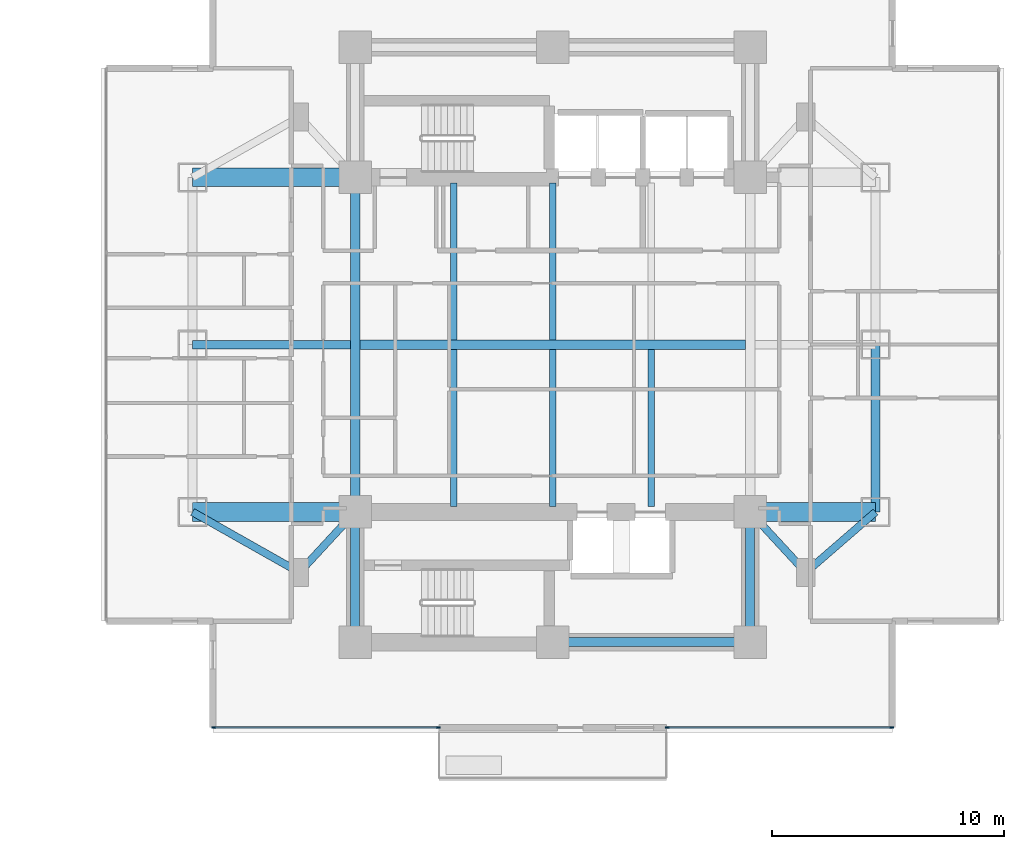
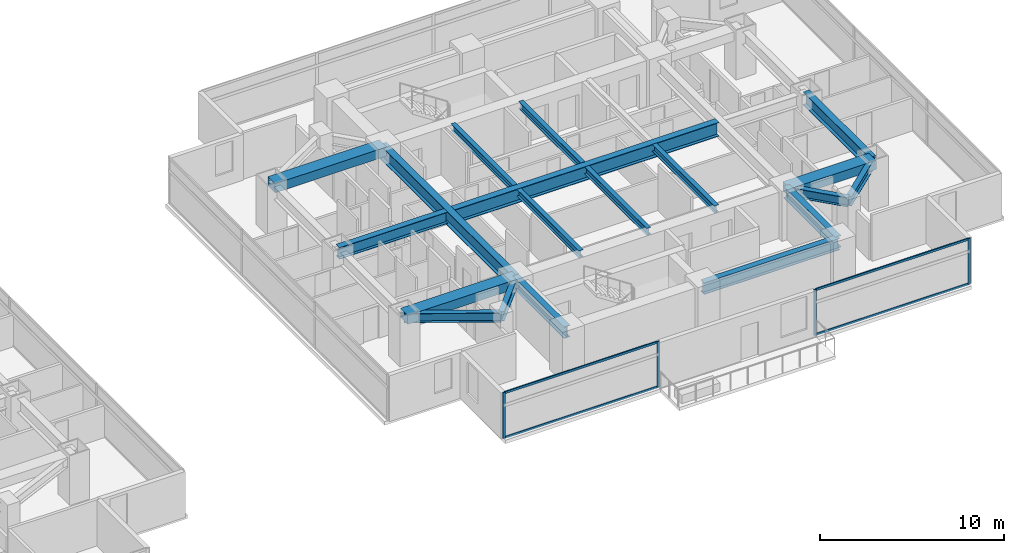
# One storey, part 9 of 27: 19 beams, 8 members, 2 elements without a shape of their own.
"""IFC4 building model written with IfcOpenShell, lengths in metres."""

from ifc_helpers import new_model, si_unit, direction, frame, origin, origin_2d, place, context, subcontext, project, spatial, rectangle, i_section, extrude, material, material_profile, profile_set, type_object, element, aggregate, save


model = new_model("IFC4")

# Units and contexts
model_context = context("Model", 3, precision=1e-05, world=origin(), true_north=direction((0.0, 1.0)))
body_context = subcontext(model_context, "Body", "Model", "MODEL_VIEW")
ifc_project = project(units=[si_unit("LENGTHUNIT", "METRE"), si_unit("AREAUNIT", "SQUARE_METRE"), si_unit("VOLUMEUNIT", "CUBIC_METRE"), si_unit("PLANEANGLEUNIT", "RADIAN"), si_unit("MASSUNIT", "GRAM", prefix="KILO")], contexts=[model_context])

# Site, building, storey
site_placement = place(None, origin())
site = spatial("IfcSite", under=ifc_project, at=site_placement, CompositionType="ELEMENT")
building_placement = place(site_placement, origin())
building = spatial("IfcBuilding", under=site, at=building_placement, Name="Mirazonda Arch Towers", CompositionType="ELEMENT")
storey_placement = place(building_placement, frame((0.0, 0.0, 42.199951171875)))
storey = spatial("IfcBuildingStorey", under=building, at=storey_placement, Name="L11", CompositionType="ELEMENT", Elevation=42.199951171875)

# Beams
ifc_material_1 = material(Name="Steel ASTM A992 Grade 50", Category="steel")
ifc_material_profile_1 = material_profile(ifc_material_1, i_section(OverallWidth=0.39990234375, OverallDepth=0.85595703125, WebThickness=0.018310546875, FlangeThickness=0.029296875, at=origin_2d()), Name="W33X201")
ifc_profile_set_1 = profile_set([ifc_material_profile_1], Name="Steel ASTM A992 Grade 50")
beam_type_1 = type_object("IfcBeamType", Name="BM-EXT-W33X201", PredefinedType="USERDEFINED", material=ifc_profile_set_1)
beam_1_placement = place(storey_placement, frame((90.39990234375, 20.800048828125, 2.632080078125), z_axis=(0.0, 1.0, 0.0), x_axis=(-1.0, 0.0, 0.0)))
element("IfcBeam", 1, at=beam_1_placement, inside=storey, type_object=beam_type_1, Name="L11 Floor Beam BM-T2-L11-NS-E-20", ObjectType="GIRDER", PredefinedType="USERDEFINED", context=body_context, shape_type="SweptSolid", body=[
    extrude(i_section(OverallWidth=0.39990234375, OverallDepth=0.85595703125, WebThickness=0.018310546875, FlangeThickness=0.029296875, at=origin_2d()), origin(), (0.0, 0.0, 1.0), 7.199951171875),
])
ifc_material_profile_2 = material_profile(ifc_material_1, i_section(OverallWidth=0.280029296875, OverallDepth=0.462890625, WebThickness=0.0107421875, FlangeThickness=0.017333984375, at=origin_2d()), Name="W18X76")
ifc_profile_set_2 = profile_set([ifc_material_profile_2], Name="Steel ASTM A992 Grade 50")
beam_type_2 = type_object("IfcBeamType", Name="BM-INT-W18X76", PredefinedType="JOIST", material=ifc_profile_set_2)
for number, where, z_axis, x_axis, name in (
    (2, (72.25, 21.0400390625, 2.82861328125), (0.0, 1.0, 0.0), (-1.0, 0.0, 0.0), "L11 Floor Beam BM-T2-L11-J-722-20"),
    (3, (72.25, 28.205078125, 2.82861328125), (0.0, 1.0, 0.0), (-1.0, 0.0, 0.0), "L11 Floor Beam BM-T2-L11-J-722-28"),
    (4, (76.5, 21.0400390625, 2.82861328125), (0.0, 1.0, 0.0), (-1.0, 0.0, 0.0), "L11 Floor Beam BM-T2-L11-J-765-20"),
    (5, (76.5, 28.205078125, 2.82861328125), (0.0, 1.0, 0.0), (-1.0, 0.0, 0.0), "L11 Floor Beam BM-T2-L11-J-765-28"),
    (6, (80.75, 21.0400390625, 2.82861328125), (0.0, 1.0, 0.0), (-1.0, 0.0, 0.0), "L11 Floor Beam BM-T2-L11-J-807-20"),
):
    element("IfcBeam", number, at=place(storey_placement, frame(where, z_axis=z_axis, x_axis=x_axis)), inside=storey, type_object=beam_type_2, Name=name, PredefinedType="JOIST", context=body_context, shape_type="SweptSolid", body=[
        extrude(i_section(OverallWidth=0.280029296875, OverallDepth=0.462890625, WebThickness=0.0107421875, FlangeThickness=0.017333984375, at=origin_2d()), origin(), (0.0, 0.0, 1.0), 6.7548828125),
    ])
ifc_material_profile_3 = material_profile(ifc_material_1, i_section(OverallWidth=0.324951171875, OverallDepth=0.615966796875, WebThickness=0.013916015625, FlangeThickness=0.021484375, at=origin_2d()), Name="W24X117")
ifc_profile_set_3 = profile_set([ifc_material_profile_3], Name="Steel ASTM A992 Grade 50")
beam_type_3 = type_object("IfcBeamType", Name="BM-INT-W24X117", PredefinedType="BEAM", material=ifc_profile_set_3)
beam_2_placement = place(storey_placement, frame((65.60009765625, 18.199951171875, 2.751953125), z_axis=(0.678251444854, 0.734829897019, 0.0), x_axis=(-0.734829897019, 0.678251444854, 0.0)))
element("IfcBeam", 7, at=beam_2_placement, inside=storey, type_object=beam_type_3, Name="L11 Floor Beam BM-T2-L11-PL-SW1", PredefinedType="BEAM", context=body_context, shape_type="SweptSolid", body=[
    extrude(i_section(OverallWidth=0.324951171875, OverallDepth=0.615966796875, WebThickness=0.013916015625, FlangeThickness=0.021484375, at=origin_2d()), origin(), (0.0, 0.0, 1.0), 3.538330078125),
])
beam_3_placement = place(storey_placement, frame((65.60009765625, 18.199951171875, 2.751953125), z_axis=(-0.870559396632, 0.492063346467, 0.0), x_axis=(-0.492063346467, -0.870559396632, 0.0)))
element("IfcBeam", 8, at=beam_3_placement, inside=storey, type_object=beam_type_3, Name="L11 Floor Beam BM-T2-L11-PL-SW2", PredefinedType="BEAM", context=body_context, shape_type="SweptSolid", body=[
    extrude(i_section(OverallWidth=0.324951171875, OverallDepth=0.615966796875, WebThickness=0.013916015625, FlangeThickness=0.021484375, at=origin_2d()), origin(), (0.0, 0.0, 1.0), 5.2841796875),
])
beam_4_placement = place(storey_placement, frame((87.39990234375, 18.199951171875, 2.751953125), z_axis=(-0.678251444854, 0.734829897019, 0.0), x_axis=(-0.734829897019, -0.678251444854, 0.0)))
element("IfcBeam", 9, at=beam_4_placement, inside=storey, type_object=beam_type_3, Name="L11 Floor Beam BM-T2-L11-PL-SE1", PredefinedType="BEAM", context=body_context, shape_type="SweptSolid", body=[
    extrude(i_section(OverallWidth=0.324951171875, OverallDepth=0.615966796875, WebThickness=0.013916015625, FlangeThickness=0.021484375, at=origin_2d()), origin(), (0.0, 0.0, 1.0), 3.538330078125),
])
beam_5_placement = place(storey_placement, frame((87.39990234375, 18.199951171875, 2.751953125), z_axis=(0.755676908098, 0.654944585876, 0.0), x_axis=(-0.654944585876, 0.755676908098, 0.0)))
element("IfcBeam", 10, at=beam_5_placement, inside=storey, type_object=beam_type_3, Name="L11 Floor Beam BM-T2-L11-PL-SE2", PredefinedType="BEAM", context=body_context, shape_type="SweptSolid", body=[
    extrude(i_section(OverallWidth=0.324951171875, OverallDepth=0.615966796875, WebThickness=0.013916015625, FlangeThickness=0.021484375, at=origin_2d()), origin(), (0.0, 0.0, 1.0), 3.969970703125),
])
ifc_material_profile_4 = material_profile(ifc_material_1, i_section(OverallWidth=0.381103515625, OverallDepth=0.77294921875, WebThickness=0.0166015625, FlangeThickness=0.027099609375, at=origin_2d()), Name="W30X173")
ifc_profile_set_4 = profile_set([ifc_material_profile_4], Name="Steel ASTM A992 Grade 50")
beam_type_4 = type_object("IfcBeamType", Name="BM-INT-W30X173", PredefinedType="USERDEFINED", material=ifc_profile_set_4)
beam_6_placement = place(storey_placement, frame((76.5, 15.199951171875, 2.673583984375), z_axis=(1.0, 0.0, 0.0), x_axis=(0.0, 1.0, 0.0)))
element("IfcBeam", 11, at=beam_6_placement, inside=storey, type_object=beam_type_4, Name="L11 Floor Beam BM-T2-L11-CS2", ObjectType="GIRDER", PredefinedType="USERDEFINED", context=body_context, shape_type="SweptSolid", body=[
    extrude(i_section(OverallWidth=0.381103515625, OverallDepth=0.77294921875, WebThickness=0.0166015625, FlangeThickness=0.027099609375, at=origin_2d()), origin(), (0.0, 0.0, 1.0), 8.5),
])
for number, where, z_axis, x_axis, name in (
    (12, (68.0, 15.199951171875, 2.673583984375), (0.0, 1.0, 0.0), (-1.0, 0.0, 0.0), "L11 Floor Beam BM-T2-L11-CSW"),
    (13, (85.0, 15.199951171875, 2.673583984375), (0.0, 1.0, 0.0), (-1.0, 0.0, 0.0), "L11 Floor Beam BM-T2-L11-CSE"),
):
    element("IfcBeam", number, at=place(storey_placement, frame(where, z_axis=z_axis, x_axis=x_axis)), inside=storey, type_object=beam_type_4, Name=name, ObjectType="GIRDER", PredefinedType="USERDEFINED", context=body_context, shape_type="SweptSolid", body=[
        extrude(i_section(OverallWidth=0.381103515625, OverallDepth=0.77294921875, WebThickness=0.0166015625, FlangeThickness=0.027099609375, at=origin_2d()), origin(), (0.0, 0.0, 1.0), 5.60009765625),
    ])
beam_7_placement = place(storey_placement, frame((61.0, 28.0, 2.673583984375), z_axis=(1.0, 0.0, 0.0), x_axis=(0.0, 1.0, 0.0)))
element("IfcBeam", 14, at=beam_7_placement, inside=storey, type_object=beam_type_4, Name="L11 Floor Beam BM-T2-L11-GW2", ObjectType="GIRDER", PredefinedType="USERDEFINED", context=body_context, shape_type="SweptSolid", body=[
    extrude(i_section(OverallWidth=0.381103515625, OverallDepth=0.77294921875, WebThickness=0.0166015625, FlangeThickness=0.027099609375, at=origin_2d()), origin(), (0.0, 0.0, 1.0), 6.791015625),
])
ifc_material_profile_5 = material_profile(ifc_material_1, i_section(OverallWidth=0.41796875, OverallDepth=0.927001953125, WebThickness=0.019287109375, FlangeThickness=0.031982421875, at=origin_2d()), Name="W36X231")
ifc_profile_set_5 = profile_set([ifc_material_profile_5], Name="Steel ASTM A992 Grade 50")
beam_type_5 = type_object("IfcBeamType", Name="BM-INT-W36X231", PredefinedType="USERDEFINED", material=ifc_profile_set_5)
beam_8_placement = place(storey_placement, frame((68.208984375, 28.0, 2.596435546875), z_axis=(1.0, 0.0, 0.0), x_axis=(0.0, 1.0, 0.0)))
element("IfcBeam", 15, at=beam_8_placement, inside=storey, type_object=beam_type_5, Name="L11 Floor Beam BM-T2-L11-GC2", ObjectType="GIRDER", PredefinedType="USERDEFINED", context=body_context, shape_type="SweptSolid", body=[
    extrude(i_section(OverallWidth=0.41796875, OverallDepth=0.927001953125, WebThickness=0.019287109375, FlangeThickness=0.031982421875, at=origin_2d()), origin(), (0.0, 0.0, 1.0), 16.58203125),
])
beam_9_placement = place(storey_placement, frame((68.0, 20.800048828125, 2.596435546875), z_axis=(0.0, 1.0, 0.0), x_axis=(-1.0, 0.0, 0.0)))
element("IfcBeam", 16, at=beam_9_placement, inside=storey, type_object=beam_type_5, Name="L11 Floor Beam BM-T2-L11-NS-CW-FULL", ObjectType="GIRDER", PredefinedType="USERDEFINED", context=body_context, shape_type="SweptSolid", body=[
    extrude(i_section(OverallWidth=0.41796875, OverallDepth=0.927001953125, WebThickness=0.019287109375, FlangeThickness=0.031982421875, at=origin_2d()), origin(), (0.0, 0.0, 1.0), 14.39990234375),
])
ifc_material_2 = material(Name="Concrete C60/75", Category="concrete")
ifc_material_profile_6 = material_profile(ifc_material_2, rectangle(XDim=0.800048828125, YDim=0.60009765625, at=origin_2d()), Name="RCCB800x600")
ifc_profile_set_6 = profile_set([ifc_material_profile_6], Name="Concrete C60/75")
beam_type_6 = type_object("IfcBeamType", Name="CB-INT-RCCB800x600", PredefinedType="SPANDREL", material=ifc_profile_set_6)
for number, where, z_axis, x_axis, name in (
    (17, (61.0, 35.199951171875, 2.760009765625), (1.0, 0.0, 0.0), (0.0, 1.0, 0.0), "L11 Floor Beam CBC-T2-L11-NW"),
    (18, (61.0, 20.800048828125, 2.760009765625), (1.0, 0.0, 0.0), (0.0, 1.0, 0.0), "L11 Floor Beam CBC-T2-L11-SW"),
):
    element("IfcBeam", number, at=place(storey_placement, frame(where, z_axis=z_axis, x_axis=x_axis)), inside=storey, type_object=beam_type_6, Name=name, PredefinedType="SPANDREL", context=body_context, shape_type="SweptSolid", body=[
        extrude(rectangle(XDim=0.800048828125, YDim=0.60009765625, at=origin_2d()), origin(), (0.0, 0.0, 1.0), 7.0),
    ])
beam_10_placement = place(storey_placement, frame((85.0, 20.800048828125, 2.760009765625), z_axis=(1.0, 0.0, 0.0), x_axis=(0.0, 1.0, 0.0)))
element("IfcBeam", 19, at=beam_10_placement, inside=storey, type_object=beam_type_6, Name="L11 Floor Beam CBC-T2-L11-SE", PredefinedType="SPANDREL", context=body_context, shape_type="SweptSolid", body=[
    extrude(rectangle(XDim=0.800048828125, YDim=0.60009765625, at=origin_2d()), origin(), (0.0, 0.0, 1.0), 5.39990234375),
])

# Curtain wall, members
ifc_material_3 = material(Name="Anodised Aluminium and Low-E Glass", Category="aluminium")
curtain_wall_type = type_object("IfcCurtainWallType", Name="CW-HTL-UNIT", PredefinedType="NOTDEFINED", material=ifc_material_3)
curtain_wall_1_placement = place(storey_placement, origin())
curtain_wall_1 = element("IfcCurtainWall", 20, at=curtain_wall_1_placement, inside=storey, type_object=curtain_wall_type, Name="L11 Curtain Wall CW-L11-T2-SA", PredefinedType="NOTDEFINED")
ifc_material_4 = material(Name="Anodised Aluminium Alloy", Category="aluminium")
ifc_material_profile_7 = material_profile(ifc_material_4, rectangle(XDim=0.074951171875, YDim=0.1650390625, at=origin_2d()), Name="ALU-MULL-75x165")
ifc_profile_set_7 = profile_set([ifc_material_profile_7], Name="Anodised Aluminium Alloy")
member_type_1 = type_object("IfcMemberType", Name="MULL-CW-HTL-UNIT", PredefinedType="MULLION", material=ifc_profile_set_7)
member_1_placement = place(storey_placement, frame((91.090576171875, 11.520263671875, 0.0), z_axis=(0.0, 0.0, 1.0), x_axis=(0.0, -1.0, 0.0)))
member_1 = element("IfcMember", 21, at=member_1_placement, type_object=member_type_1, Name="CW-112 mullion 1", PredefinedType="MULLION", context=body_context, shape_type="SweptSolid", body=[
    extrude(rectangle(XDim=0.074951171875, YDim=0.1650390625, at=origin_2d()), origin(), (0.0, 0.0, 1.0), 3.0400390625),
])
member_2_placement = place(storey_placement, frame((81.427490234375, 11.520263671875, 0.0), z_axis=(0.0, 0.0, 1.0), x_axis=(0.0, -1.0, 0.0)))
member_2 = element("IfcMember", 22, at=member_2_placement, type_object=member_type_1, Name="CW-112 mullion 2", PredefinedType="MULLION", context=body_context, shape_type="SweptSolid", body=[
    extrude(rectangle(XDim=0.074951171875, YDim=0.1650390625, at=origin_2d()), origin(), (0.0, 0.0, 1.0), 3.0400390625),
])

curtain_wall_2_placement = place(storey_placement, origin())
curtain_wall_2 = element("IfcCurtainWall", 23, at=curtain_wall_2_placement, inside=storey, type_object=curtain_wall_type, Name="L11 Curtain Wall CW-L11-T2-SB", PredefinedType="NOTDEFINED")
member_3_placement = place(storey_placement, frame((71.572509765625, 11.520263671875, 0.0), z_axis=(0.0, 0.0, 1.0), x_axis=(0.0, -1.0, 0.0)))
member_3 = element("IfcMember", 24, at=member_3_placement, type_object=member_type_1, Name="CW-112 mullion 1", PredefinedType="MULLION", context=body_context, shape_type="SweptSolid", body=[
    extrude(rectangle(XDim=0.074951171875, YDim=0.1650390625, at=origin_2d()), origin(), (0.0, 0.0, 1.0), 3.0400390625),
])
member_4_placement = place(storey_placement, frame((61.909423828125, 11.520263671875, 0.0), z_axis=(0.0, 0.0, 1.0), x_axis=(0.0, -1.0, 0.0)))
member_4 = element("IfcMember", 25, at=member_4_placement, type_object=member_type_1, Name="CW-112 mullion 2", PredefinedType="MULLION", context=body_context, shape_type="SweptSolid", body=[
    extrude(rectangle(XDim=0.074951171875, YDim=0.1650390625, at=origin_2d()), origin(), (0.0, 0.0, 1.0), 3.0400390625),
])

# Member
ifc_material_profile_8 = material_profile(ifc_material_4, rectangle(XDim=0.074951171875, YDim=0.14501953125, at=origin_2d()), Name="ALU-TRAN-75x145")
ifc_profile_set_8 = profile_set([ifc_material_profile_8], Name="Anodised Aluminium Alloy")
member_type_2 = type_object("IfcMemberType", Name="TRAN-CW-HTL-UNIT", PredefinedType="USERDEFINED", material=ifc_profile_set_8)
member_5_placement = place(storey_placement, frame((91.052978515625, 11.520263671875, 0.03759765625), z_axis=(-1.0, 0.0, 0.0), x_axis=(0.0, -1.0, 0.0)))
member_5 = element("IfcMember", 26, at=member_5_placement, type_object=member_type_2, Name="CW-112 transom 1.1", ObjectType="TRANSOM", PredefinedType="USERDEFINED", context=body_context, shape_type="SweptSolid", body=[
    extrude(rectangle(XDim=0.074951171875, YDim=0.14501953125, at=origin_2d()), origin(), (0.0, 0.0, 1.0), 9.587890625),
])

member_6_placement = place(storey_placement, frame((91.052978515625, 11.520263671875, 3.00244140625), z_axis=(-1.0, 0.0, 0.0), x_axis=(0.0, -1.0, 0.0)))
member_6 = element("IfcMember", 27, at=member_6_placement, type_object=member_type_2, Name="CW-112 transom 1.2", ObjectType="TRANSOM", PredefinedType="USERDEFINED", context=body_context, shape_type="SweptSolid", body=[
    extrude(rectangle(XDim=0.074951171875, YDim=0.14501953125, at=origin_2d()), origin(), (0.0, 0.0, 1.0), 9.587890625),
])

aggregate(curtain_wall_1, [member_1, member_2, member_5, member_6])

member_7_placement = place(storey_placement, frame((71.534912109375, 11.520263671875, 0.03759765625), z_axis=(-1.0, 0.0, 0.0), x_axis=(0.0, -1.0, 0.0)))
member_7 = element("IfcMember", 28, at=member_7_placement, type_object=member_type_2, Name="CW-112 transom 1.1", ObjectType="TRANSOM", PredefinedType="USERDEFINED", context=body_context, shape_type="SweptSolid", body=[
    extrude(rectangle(XDim=0.074951171875, YDim=0.14501953125, at=origin_2d()), origin(), (0.0, 0.0, 1.0), 9.587890625),
])

member_8_placement = place(storey_placement, frame((71.534912109375, 11.520263671875, 3.00244140625), z_axis=(-1.0, 0.0, 0.0), x_axis=(0.0, -1.0, 0.0)))
member_8 = element("IfcMember", 29, at=member_8_placement, type_object=member_type_2, Name="CW-112 transom 1.2", ObjectType="TRANSOM", PredefinedType="USERDEFINED", context=body_context, shape_type="SweptSolid", body=[
    extrude(rectangle(XDim=0.074951171875, YDim=0.14501953125, at=origin_2d()), origin(), (0.0, 0.0, 1.0), 9.587890625),
])

aggregate(curtain_wall_2, [member_3, member_4, member_7, member_8])

save(model, "model.ifc")
